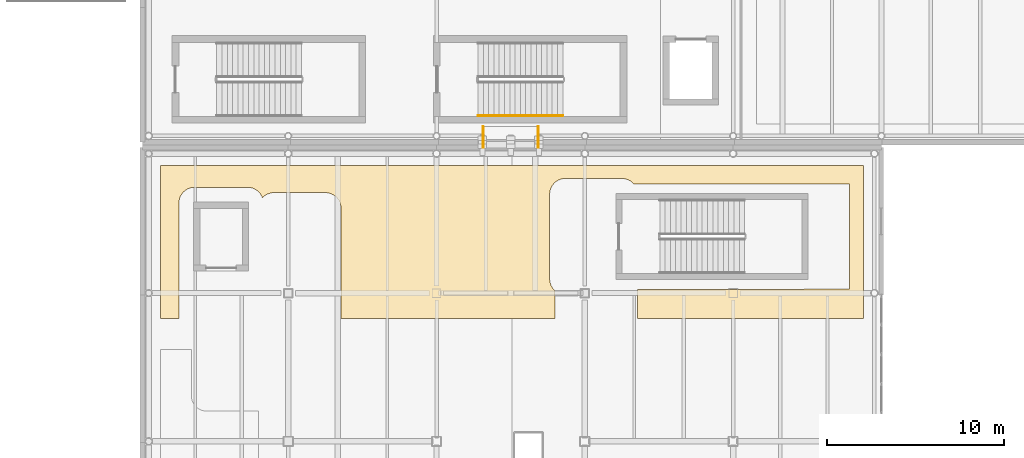
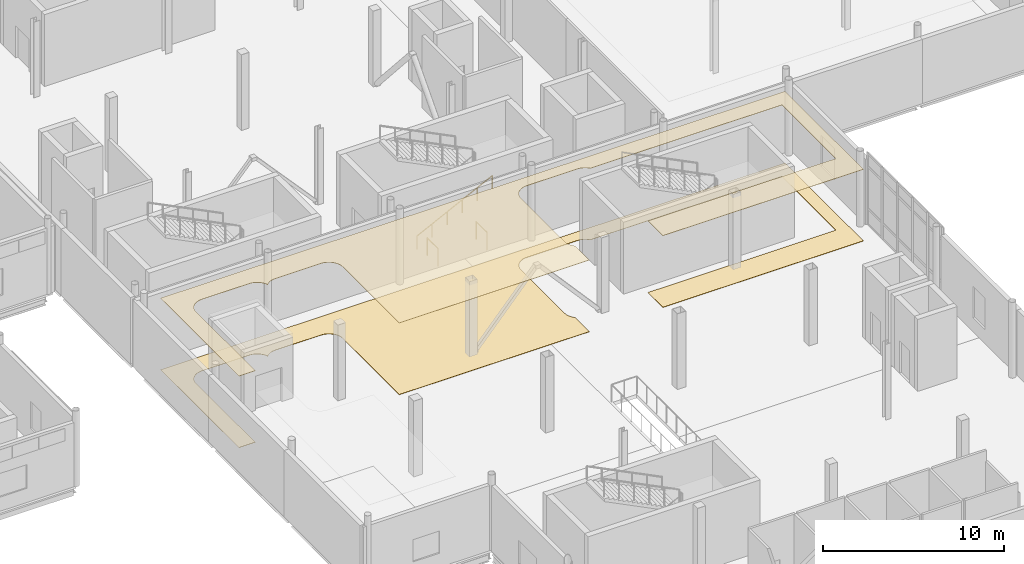
# One storey, part 94 of 104: 3 railings, 2 coverings.
"""IFC4 building model written with IfcOpenShell, lengths in metres."""

from ifc_helpers import new_model, si_unit, direction, frame, origin, origin_2d, place, context, subcontext, project, spatial, polyline, circle, outline, extrude, material, layer, layer_set, type_object, element, save


model = new_model("IFC4")

# Units and contexts
model_context = context("Model", 3, precision=1e-05, world=origin(), true_north=direction((0.0, 1.0)))
body_context = subcontext(model_context, "Body", "Model", "MODEL_VIEW")
ifc_project = project(units=[si_unit("LENGTHUNIT", "METRE"), si_unit("AREAUNIT", "SQUARE_METRE"), si_unit("VOLUMEUNIT", "CUBIC_METRE"), si_unit("PLANEANGLEUNIT", "RADIAN"), si_unit("MASSUNIT", "GRAM", prefix="KILO"), si_unit("THERMODYNAMICTEMPERATUREUNIT", "KELVIN")], contexts=[model_context])

# Site, building, storey
site_placement = place(None, origin())
site = spatial("IfcSite", under=ifc_project, at=site_placement, CompositionType="ELEMENT")
building_placement = place(site_placement, origin())
building = spatial("IfcBuilding", under=site, at=building_placement, Name="Lustrewick Department Store", CompositionType="ELEMENT")
storey_placement = place(building_placement, frame((0.0, 0.0, 11.39990234375)))
storey = spatial("IfcBuildingStorey", under=building, at=storey_placement, Name="L03", CompositionType="ELEMENT", Elevation=11.39990234375)

# Coverings
ifc_material_1 = material(Name="Perforated mineral-fibre acoustic ceiling board", Category="gypsum")
ifc_layer_1 = layer(ifc_material_1, 0.02490234375, Name="Perforated mineral-fibre acoustic ceiling board")
ifc_layer_set_1 = layer_set([ifc_layer_1], Name="Perforated mineral-fibre acoustic ceiling board")
covering_type_1 = type_object("IfcCoveringType", Name="COV-CEIL", PredefinedType="CEILING", material=ifc_layer_set_1)
covering_1_placement = place(storey_placement, frame((0.0, 0.0, 4.820068359375)))
element("IfcCovering", 1, at=covering_1_placement, inside=storey, type_object=covering_type_1, Name="L03 Commercial Restaurant Kitchen Acoustic Ceiling", PredefinedType="CEILING", context=body_context, shape_type="SweptSolid", body=[
    extrude(outline(polyline([(111.411376953125, 40.56787109375), (111.409912109375, 40.596923828125), (111.409912109375, 47.10302734375), (111.414306640625, 47.187744140625), (111.4267578125, 47.271484375), (111.427490234375, 47.27490234375), (111.43115234375, 47.29248046875), (111.431884765625, 47.295654296875), (111.45458984375, 47.37841796875), (111.4853515625, 47.45849609375), (111.48779296875, 47.463623046875), (111.52099609375, 47.530517578125), (111.523193359375, 47.534423828125), (111.560791015625, 47.595947265625), (111.603515625, 47.654052734375), (111.607177734375, 47.65869140625), (111.670654296875, 47.7294921875), (111.741455078125, 47.79296875), (111.74609375, 47.79638671875), (111.80419921875, 47.839111328125), (111.865478515625, 47.876708984375), (111.869384765625, 47.87890625), (111.936279296875, 47.912109375), (111.94140625, 47.91455078125), (112.021484375, 47.945556640625), (112.104248046875, 47.96826171875), (112.107421875, 47.968994140625), (112.125, 47.97265625), (112.12841796875, 47.973388671875), (112.21240234375, 47.98583984375), (112.297119140625, 47.989990234375), (115.302978515625, 47.989990234375), (115.3876953125, 47.98583984375), (115.4716796875, 47.973388671875), (115.47509765625, 47.97265625), (115.492431640625, 47.968994140625), (115.49560546875, 47.96826171875), (115.57861328125, 47.945556640625), (115.658447265625, 47.91455078125), (115.663818359375, 47.912109375), (115.73046875, 47.87890625), (115.734375, 47.876708984375), (115.7958984375, 47.839111328125), (115.85400390625, 47.79638671875), (115.858642578125, 47.79296875), (115.929443359375, 47.7294921875), (115.992919921875, 47.65869140625), (115.99658203125, 47.654052734375), (116.0390625, 47.595947265625), (116.07666015625, 47.534423828125), (116.078857421875, 47.530517578125), (116.1123046875, 47.463623046875), (116.114501953125, 47.45849609375), (116.139404296875, 47.39453125), (116.170654296875, 47.429443359375), (116.241455078125, 47.492919921875), (116.24609375, 47.49658203125), (116.30419921875, 47.5390625), (116.365478515625, 47.57666015625), (116.369384765625, 47.578857421875), (116.436279296875, 47.6123046875), (116.44140625, 47.614501953125), (116.521484375, 47.6455078125), (116.604248046875, 47.668212890625), (116.607421875, 47.6689453125), (116.625, 47.672607421875), (116.62841796875, 47.67333984375), (116.71240234375, 47.685791015625), (116.797119140625, 47.68994140625), (119.702880859375, 47.68994140625), (119.78759765625, 47.685791015625), (119.87158203125, 47.67333984375), (119.875, 47.672607421875), (119.892578125, 47.6689453125), (119.895751953125, 47.668212890625), (119.978515625, 47.6455078125), (120.05859375, 47.614501953125), (120.063720703125, 47.6123046875), (120.130615234375, 47.578857421875), (120.134521484375, 47.57666015625), (120.19580078125, 47.5390625), (120.25390625, 47.49658203125), (120.258544921875, 47.492919921875), (120.329345703125, 47.429443359375), (120.392822265625, 47.358642578125), (120.396484375, 47.35400390625), (120.439208984375, 47.2958984375), (120.476806640625, 47.234375), (120.47900390625, 47.23046875), (120.51220703125, 47.163818359375), (120.513427734375, 47.1611328125), (120.5146484375, 47.158447265625), (120.54541015625, 47.07861328125), (120.568115234375, 46.99560546875), (120.56884765625, 46.992431640625), (120.572509765625, 46.97509765625), (120.5732421875, 46.9716796875), (120.585693359375, 46.8876953125), (120.590087890625, 46.802978515625), (120.590087890625, 40.56787109375), (132.7099609375, 40.56787109375), (132.7099609375, 42.13525390625), (132.670654296875, 42.170654296875), (132.607177734375, 42.241455078125), (132.603515625, 42.24609375), (132.560791015625, 42.30419921875), (132.523193359375, 42.365478515625), (132.52099609375, 42.369384765625), (132.48779296875, 42.436279296875), (132.486572265625, 42.438720703125), (132.4853515625, 42.44140625), (132.45458984375, 42.521484375), (132.431884765625, 42.604248046875), (132.43115234375, 42.607421875), (132.427490234375, 42.625), (132.4267578125, 42.62841796875), (132.414306640625, 42.71240234375), (132.409912109375, 42.797119140625), (132.409912109375, 47.60302734375), (132.414306640625, 47.687744140625), (132.4267578125, 47.771484375), (132.427490234375, 47.77490234375), (132.43115234375, 47.79248046875), (132.431884765625, 47.795654296875), (132.45458984375, 47.87841796875), (132.4853515625, 47.95849609375), (132.486572265625, 47.961181640625), (132.48779296875, 47.963623046875), (132.52099609375, 48.030517578125), (132.523193359375, 48.034423828125), (132.560791015625, 48.095947265625), (132.603515625, 48.154052734375), (132.607177734375, 48.15869140625), (132.670654296875, 48.2294921875), (132.741455078125, 48.29296875), (132.74609375, 48.29638671875), (132.80419921875, 48.339111328125), (132.865478515625, 48.376708984375), (132.869384765625, 48.37890625), (132.936279296875, 48.412109375), (132.94140625, 48.41455078125), (133.021484375, 48.445556640625), (133.104248046875, 48.46826171875), (133.107421875, 48.468994140625), (133.125, 48.47265625), (133.12841796875, 48.473388671875), (133.21240234375, 48.48583984375), (133.297119140625, 48.489990234375), (136.5029296875, 48.489990234375), (136.587646484375, 48.48583984375), (136.671630859375, 48.473388671875), (136.675048828125, 48.47265625), (136.6923828125, 48.468994140625), (136.69580078125, 48.46826171875), (136.778564453125, 48.445556640625), (136.8583984375, 48.41455078125), (136.86376953125, 48.412109375), (136.930419921875, 48.37890625), (136.934326171875, 48.376708984375), (136.995849609375, 48.339111328125), (137.053955078125, 48.29638671875), (137.05859375, 48.29296875), (137.12939453125, 48.2294921875), (137.164794921875, 48.18994140625), (146.702880859375, 48.18994140625), (146.78759765625, 48.185791015625), (146.82666015625, 48.179931640625), (149.3798828125, 48.179931640625), (149.3798828125, 42.219970703125), (146.82666015625, 42.219970703125), (146.78759765625, 42.214111328125), (146.702880859375, 42.2099609375), (137.389892578125, 42.2099609375), (137.389892578125, 40.56787109375), (150.179931640625, 40.56787109375), (150.179931640625, 49.22998046875), (110.3701171875, 49.22998046875), (110.3701171875, 40.56787109375), (111.411376953125, 40.56787109375)])), origin(), (0.0, 0.0, 1.0), 0.025146484375),
])
ifc_material_2 = material(Name="Polished terrazzo and porcelain floor finish", Category="masonry")
ifc_layer_2 = layer(ifc_material_2, 0.02001953125, Name="Polished terrazzo and porcelain floor finish")
ifc_layer_set_2 = layer_set([ifc_layer_2], Name="Polished terrazzo and porcelain floor finish")
covering_type_2 = type_object("IfcCoveringType", Name="COV-FLR", PredefinedType="FLOORING", material=ifc_layer_set_2)
covering_2_placement = place(storey_placement, origin())
element("IfcCovering", 2, at=covering_2_placement, inside=storey, type_object=covering_type_2, Name="L03 Commercial Restaurant Kitchen Terrazzo Flooring", PredefinedType="FLOORING", context=body_context, shape_type="SweptSolid", body=[
    extrude(outline(polyline([(111.411376953125, 40.56787109375), (111.409912109375, 40.596923828125), (111.409912109375, 47.10302734375), (111.414306640625, 47.187744140625), (111.4267578125, 47.271484375), (111.427490234375, 47.27490234375), (111.43115234375, 47.29248046875), (111.431884765625, 47.295654296875), (111.45458984375, 47.37841796875), (111.4853515625, 47.45849609375), (111.48779296875, 47.463623046875), (111.52099609375, 47.530517578125), (111.523193359375, 47.534423828125), (111.560791015625, 47.595947265625), (111.603515625, 47.654052734375), (111.607177734375, 47.65869140625), (111.670654296875, 47.7294921875), (111.741455078125, 47.79296875), (111.74609375, 47.79638671875), (111.80419921875, 47.839111328125), (111.865478515625, 47.876708984375), (111.869384765625, 47.87890625), (111.936279296875, 47.912109375), (111.94140625, 47.91455078125), (112.021484375, 47.945556640625), (112.104248046875, 47.96826171875), (112.107421875, 47.968994140625), (112.125, 47.97265625), (112.12841796875, 47.973388671875), (112.21240234375, 47.98583984375), (112.297119140625, 47.989990234375), (115.302978515625, 47.989990234375), (115.3876953125, 47.98583984375), (115.4716796875, 47.973388671875), (115.47509765625, 47.97265625), (115.492431640625, 47.968994140625), (115.49560546875, 47.96826171875), (115.57861328125, 47.945556640625), (115.658447265625, 47.91455078125), (115.663818359375, 47.912109375), (115.73046875, 47.87890625), (115.734375, 47.876708984375), (115.7958984375, 47.839111328125), (115.85400390625, 47.79638671875), (115.858642578125, 47.79296875), (115.929443359375, 47.7294921875), (115.992919921875, 47.65869140625), (115.99658203125, 47.654052734375), (116.0390625, 47.595947265625), (116.07666015625, 47.534423828125), (116.078857421875, 47.530517578125), (116.1123046875, 47.463623046875), (116.114501953125, 47.45849609375), (116.139404296875, 47.39453125), (116.170654296875, 47.429443359375), (116.241455078125, 47.492919921875), (116.24609375, 47.49658203125), (116.30419921875, 47.5390625), (116.365478515625, 47.57666015625), (116.369384765625, 47.578857421875), (116.436279296875, 47.6123046875), (116.44140625, 47.614501953125), (116.521484375, 47.6455078125), (116.604248046875, 47.668212890625), (116.607421875, 47.6689453125), (116.625, 47.672607421875), (116.62841796875, 47.67333984375), (116.71240234375, 47.685791015625), (116.797119140625, 47.68994140625), (119.702880859375, 47.68994140625), (119.78759765625, 47.685791015625), (119.87158203125, 47.67333984375), (119.875, 47.672607421875), (119.892578125, 47.6689453125), (119.895751953125, 47.668212890625), (119.978515625, 47.6455078125), (120.05859375, 47.614501953125), (120.063720703125, 47.6123046875), (120.130615234375, 47.578857421875), (120.134521484375, 47.57666015625), (120.19580078125, 47.5390625), (120.25390625, 47.49658203125), (120.258544921875, 47.492919921875), (120.329345703125, 47.429443359375), (120.392822265625, 47.358642578125), (120.396484375, 47.35400390625), (120.439208984375, 47.2958984375), (120.476806640625, 47.234375), (120.47900390625, 47.23046875), (120.51220703125, 47.163818359375), (120.513427734375, 47.1611328125), (120.5146484375, 47.158447265625), (120.54541015625, 47.07861328125), (120.568115234375, 46.99560546875), (120.56884765625, 46.992431640625), (120.572509765625, 46.97509765625), (120.5732421875, 46.9716796875), (120.585693359375, 46.8876953125), (120.590087890625, 46.802978515625), (120.590087890625, 40.56787109375), (132.7099609375, 40.56787109375), (132.7099609375, 42.13525390625), (132.670654296875, 42.170654296875), (132.607177734375, 42.241455078125), (132.603515625, 42.24609375), (132.560791015625, 42.30419921875), (132.523193359375, 42.365478515625), (132.52099609375, 42.369384765625), (132.48779296875, 42.436279296875), (132.486572265625, 42.438720703125), (132.4853515625, 42.44140625), (132.45458984375, 42.521484375), (132.431884765625, 42.604248046875), (132.43115234375, 42.607421875), (132.427490234375, 42.625), (132.4267578125, 42.62841796875), (132.414306640625, 42.71240234375), (132.409912109375, 42.797119140625), (132.409912109375, 47.60302734375), (132.414306640625, 47.687744140625), (132.4267578125, 47.771484375), (132.427490234375, 47.77490234375), (132.43115234375, 47.79248046875), (132.431884765625, 47.795654296875), (132.45458984375, 47.87841796875), (132.4853515625, 47.95849609375), (132.486572265625, 47.961181640625), (132.48779296875, 47.963623046875), (132.52099609375, 48.030517578125), (132.523193359375, 48.034423828125), (132.560791015625, 48.095947265625), (132.603515625, 48.154052734375), (132.607177734375, 48.15869140625), (132.670654296875, 48.2294921875), (132.741455078125, 48.29296875), (132.74609375, 48.29638671875), (132.80419921875, 48.339111328125), (132.865478515625, 48.376708984375), (132.869384765625, 48.37890625), (132.936279296875, 48.412109375), (132.94140625, 48.41455078125), (133.021484375, 48.445556640625), (133.104248046875, 48.46826171875), (133.107421875, 48.468994140625), (133.125, 48.47265625), (133.12841796875, 48.473388671875), (133.21240234375, 48.48583984375), (133.297119140625, 48.489990234375), (136.5029296875, 48.489990234375), (136.587646484375, 48.48583984375), (136.671630859375, 48.473388671875), (136.675048828125, 48.47265625), (136.6923828125, 48.468994140625), (136.69580078125, 48.46826171875), (136.778564453125, 48.445556640625), (136.8583984375, 48.41455078125), (136.86376953125, 48.412109375), (136.930419921875, 48.37890625), (136.934326171875, 48.376708984375), (136.995849609375, 48.339111328125), (137.053955078125, 48.29638671875), (137.05859375, 48.29296875), (137.12939453125, 48.2294921875), (137.164794921875, 48.18994140625), (146.702880859375, 48.18994140625), (146.78759765625, 48.185791015625), (146.82666015625, 48.179931640625), (149.3798828125, 48.179931640625), (149.3798828125, 42.219970703125), (146.82666015625, 42.219970703125), (146.78759765625, 42.214111328125), (146.702880859375, 42.2099609375), (137.389892578125, 42.2099609375), (137.389892578125, 40.56787109375), (150.179931640625, 40.56787109375), (150.179931640625, 49.22998046875), (110.3701171875, 49.22998046875), (110.3701171875, 40.56787109375), (111.411376953125, 40.56787109375)])), origin(), (0.0, 0.0, 1.0), 0.02001953125),
])

# Railings
ifc_material_3 = material(Name="Laminated safety glass and bronze atrium balustrade", Category="glass")
railing_type_1 = type_object("IfcRailingType", Name="RL-BAL", PredefinedType="BALUSTRADE", material=ifc_material_3)
for number, where, name in (
    (3, (128.639892578125, 50.239990234375, 0.0), "L03 Skybridge SB34 West Guard 0034"),
    (4, (131.760009765625, 50.239990234375, 0.0), "L03 Skybridge SB34 East Guard 0035"),
):
    element("IfcRailing", number, at=place(storey_placement, frame(where)), inside=storey, type_object=railing_type_1, Name=name, PredefinedType="BALUSTRADE", context=body_context, shape_type="SweptSolid", body=[
        extrude(circle(Radius=0.02392578125, at=origin_2d()), frame((0.0, 0.0, 1.17578125), z_axis=(0.0, 1.0, 0.0), x_axis=(-1.0, 0.0, 0.0)), (0.0, 0.0, 1.0), 1.18994140625),
        extrude(circle(Radius=0.02099609375, at=origin_2d()), origin(), (0.0, 0.0, 1.0), 1.15185546875),
        extrude(circle(Radius=0.02099609375, at=origin_2d()), frame((0.0, 1.18994140625, 0.0)), (0.0, 0.0, 1.0), 1.15185546875),
    ])
ifc_material_4 = material(Name="Brushed stainless steel wall handrail", Category="steel")
railing_type_2 = type_object("IfcRailingType", Name="RL-STH", PredefinedType="HANDRAIL", material=ifc_material_4)
railing_placement = place(storey_placement, frame((128.35009765625, 52.050048828125, 0.150146484375)))
element("IfcRailing", 5, at=railing_placement, inside=storey, type_object=railing_type_2, Name="L03 ST11 Stair Handrail 1", PredefinedType="HANDRAIL", context=body_context, shape_type="SweptSolid", body=[
    extrude(circle(Radius=0.02392578125, at=origin_2d()), frame((0.0, 0.0, 0.8759765625), z_axis=(0.894427191, 0.0, 0.4472135955), x_axis=(0.0, 1.0, 0.0)), (0.0, 0.0, 1.0), 5.366455078125),
    extrude(circle(Radius=0.02099609375, at=origin_2d()), origin(), (0.0, 0.0, 1.0), 0.851806640625),
    extrude(circle(Radius=0.02099609375, at=origin_2d()), frame((0.9599609375, 0.0, 0.47998046875)), (0.0, 0.0, 1.0), 0.851806640625),
    extrude(circle(Radius=0.02099609375, at=origin_2d()), frame((1.919921875, 0.0, 0.9599609375)), (0.0, 0.0, 1.0), 0.851806640625),
    extrude(circle(Radius=0.02099609375, at=origin_2d()), frame((2.8798828125, 0.0, 1.43994140625)), (0.0, 0.0, 1.0), 0.851806640625),
    extrude(circle(Radius=0.02099609375, at=origin_2d()), frame((3.83984375, 0.0, 1.919921875)), (0.0, 0.0, 1.0), 0.851806640625),
    extrude(circle(Radius=0.02099609375, at=origin_2d()), frame((4.7998046875, 0.0, 2.39990234375)), (0.0, 0.0, 1.0), 0.851806640625),
])

save(model, "model.ifc")
